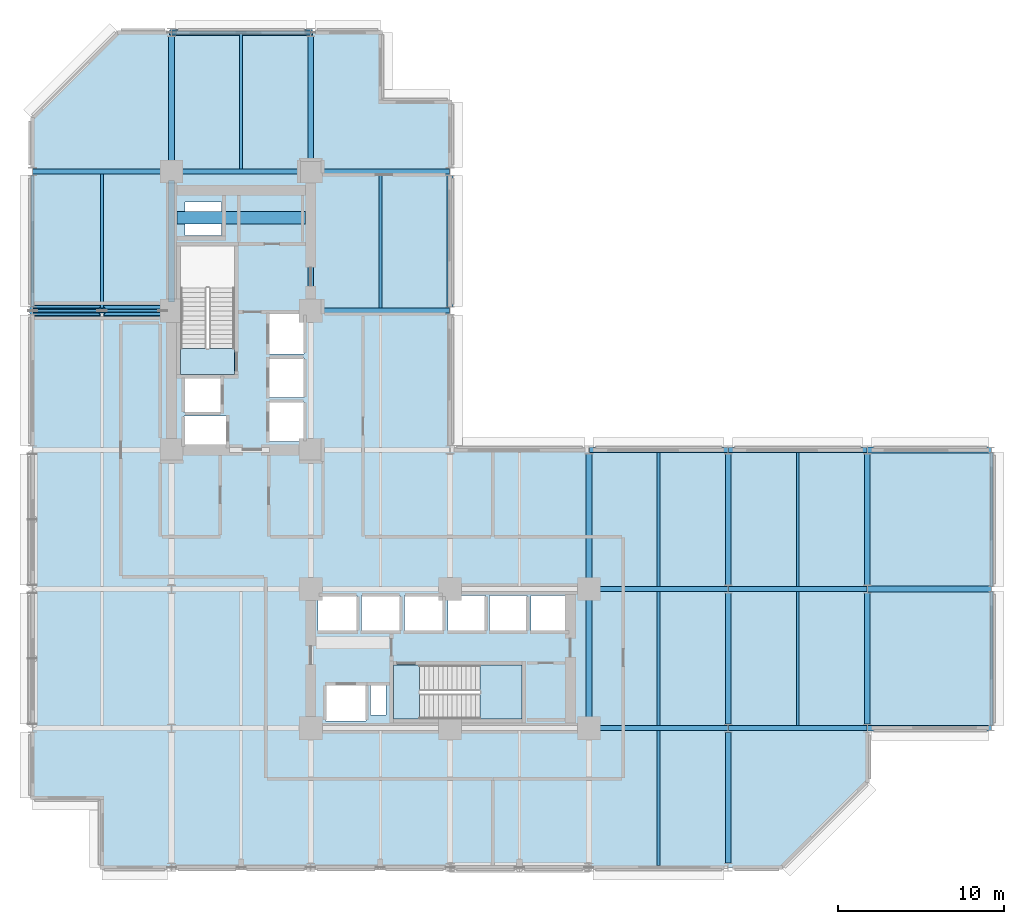
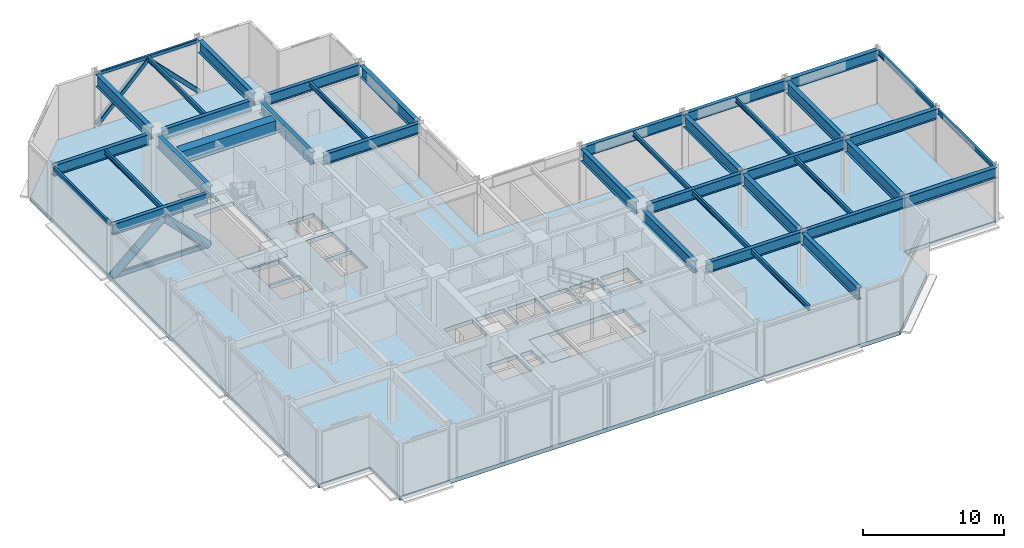
# One storey, part 4 of 13: 39 beams, 5 members, 4 slabs, 1 element without a shape of its own.
"""IFC4 building model written with IfcOpenShell, lengths in metres."""

from ifc_helpers import new_model, si_unit, direction, frame, origin, origin_2d, place, context, subcontext, project, spatial, polyline, rectangle, hollow_rectangle, hollow_circle, i_section, outline, extrude, material, layer, layer_set, material_profile, profile_set, type_object, element, aggregate, save


model = new_model("IFC4")

# Units and contexts
model_context = context("Model", 3, precision=1e-05, world=origin(), true_north=direction((0.0, 1.0)))
body_context = subcontext(model_context, "Body", "Model", "MODEL_VIEW")
ifc_project = project(units=[si_unit("LENGTHUNIT", "METRE"), si_unit("AREAUNIT", "SQUARE_METRE"), si_unit("VOLUMEUNIT", "CUBIC_METRE"), si_unit("PLANEANGLEUNIT", "RADIAN"), si_unit("MASSUNIT", "GRAM", prefix="KILO")], contexts=[model_context])

# Site, building, storey
site_placement = place(None, origin())
site = spatial("IfcSite", under=ifc_project, at=site_placement, CompositionType="ELEMENT")
building_placement = place(site_placement, origin())
building = spatial("IfcBuilding", under=site, at=building_placement, Name="Nerrivon Quay Data Exchange", CompositionType="ELEMENT")
storey_placement = place(building_placement, frame((0.0, 0.0, 79.39990234375)))
storey = spatial("IfcBuildingStorey", under=building, at=storey_placement, Name="L18", CompositionType="ELEMENT", Elevation=79.39990234375)

# Beams
ifc_material_1 = material(Name="Steel Grade 350", Category="steel")
ifc_material_profile_1 = material_profile(ifc_material_1, i_section(OverallWidth=0.35009765625, OverallDepth=0.909912109375, WebThickness=0.011962890625, FlangeThickness=0.02490234375, at=origin_2d()), Name="900WB218")
ifc_profile_set_1 = profile_set([ifc_material_profile_1], Name="Steel Grade 350")
beam_type_1 = type_object("IfcBeamType", Name="BM-CANT-900WB", PredefinedType="USERDEFINED", material=ifc_profile_set_1)
for number, where, z_axis, x_axis, name in (
    (1, (50.4140625, 8.39990234375, 4.27001953125), (1.0, 0.0, 0.0), (0.0, 1.0, 0.0), "L18 East Hooked Cantilever Girder Y=8.4"),
    (2, (50.4140625, 16.800048828125, 4.27001953125), (1.0, 0.0, 0.0), (0.0, 1.0, 0.0), "L18 East Hooked Cantilever Girder Y=16.8"),
    (3, (50.4140625, 25.199951171875, 4.27001953125), (1.0, 0.0, 0.0), (0.0, 1.0, 0.0), "L18 East Hooked Cantilever Girder Y=25.2"),
):
    element("IfcBeam", number, at=place(storey_placement, frame(where, z_axis=z_axis, x_axis=x_axis)), inside=storey, type_object=beam_type_1, Name=name, ObjectType="TRANSFER", PredefinedType="USERDEFINED", context=body_context, shape_type="SweptSolid", body=[
        extrude(i_section(OverallWidth=0.35009765625, OverallDepth=0.909912109375, WebThickness=0.011962890625, FlangeThickness=0.02490234375, at=origin_2d()), origin(), (0.0, 0.0, 1.0), 7.47802734375),
    ])
ifc_material_2 = material(Name="Concrete S65 (65 MPa)", Category="concrete")
ifc_material_profile_2 = material_profile(ifc_material_2, rectangle(XDim=0.75, YDim=1.10009765625, at=origin_2d()), Name="RC-CB-750x1100")
ifc_profile_set_2 = profile_set([ifc_material_profile_2], Name="Concrete S65 (65 MPa)")
beam_type_2 = type_object("IfcBeamType", Name="BM-CB1-750x1100", PredefinedType="LINTEL", material=ifc_profile_set_2)
beam_1_placement = place(storey_placement, frame((8.72509765625, 39.199951171875, 4.175048828125), z_axis=(1.0, 0.0, 0.0), x_axis=(0.0, 1.0, 0.0)))
element("IfcBeam", 4, at=beam_1_placement, inside=storey, type_object=beam_type_2, Name="L18 West Core Coupling Beam", PredefinedType="LINTEL", context=body_context, shape_type="SweptSolid", body=[
    extrude(rectangle(XDim=0.75, YDim=1.10009765625, at=origin_2d()), origin(), (0.0, 0.0, 1.0), 7.75),
])
ifc_material_profile_3 = material_profile(ifc_material_1, i_section(OverallWidth=0.177978515625, OverallDepth=0.403076171875, WebThickness=0.007568359375, FlangeThickness=0.010986328125, FilletRadius=0.011474609375, at=origin_2d()), Name="410UB53.7")
ifc_profile_set_3 = profile_set([ifc_material_profile_3], Name="Steel Grade 350")
beam_type_3 = type_object("IfcBeamType", Name="BM-J2-410UB54", PredefinedType="JOIST", material=ifc_profile_set_3)
beam_2_placement = place(storey_placement, frame((4.199951171875, 33.75, 4.523681640625), z_axis=(0.0, 1.0, 0.0), x_axis=(-1.0, 0.0, 0.0)))
element("IfcBeam", 5, at=beam_2_placement, inside=storey, type_object=beam_type_3, Name="L18 Secondary Joist X=4.2 (33.6..42.0)", PredefinedType="JOIST", context=body_context, shape_type="SweptSolid", body=[
    extrude(i_section(OverallWidth=0.177978515625, OverallDepth=0.403076171875, WebThickness=0.007568359375, FlangeThickness=0.010986328125, FilletRadius=0.011474609375, at=origin_2d()), origin(), (0.0, 0.0, 1.0), 8.10009765625),
])
beam_3_placement = place(storey_placement, frame((12.60009765625, 42.14990234375, 4.523681640625), z_axis=(0.0, 1.0, 0.0), x_axis=(-1.0, 0.0, 0.0)))
element("IfcBeam", 6, at=beam_3_placement, inside=storey, type_object=beam_type_3, Name="L18 Secondary Joist X=12.6 (42.0..50.4)", PredefinedType="JOIST", context=body_context, shape_type="SweptSolid", body=[
    extrude(i_section(OverallWidth=0.177978515625, OverallDepth=0.403076171875, WebThickness=0.007568359375, FlangeThickness=0.010986328125, FilletRadius=0.011474609375, at=origin_2d()), origin(), (0.0, 0.0, 1.0), 8.150146484375),
])
beam_4_placement = place(storey_placement, frame((21.0, 33.75, 4.523681640625), z_axis=(0.0, 1.0, 0.0), x_axis=(-1.0, 0.0, 0.0)))
element("IfcBeam", 7, at=beam_4_placement, inside=storey, type_object=beam_type_3, Name="L18 Secondary Joist X=21.0 (33.6..42.0)", PredefinedType="JOIST", context=body_context, shape_type="SweptSolid", body=[
    extrude(i_section(OverallWidth=0.177978515625, OverallDepth=0.403076171875, WebThickness=0.007568359375, FlangeThickness=0.010986328125, FilletRadius=0.011474609375, at=origin_2d()), origin(), (0.0, 0.0, 1.0), 8.10009765625),
])
beam_5_placement = place(storey_placement, frame((37.800048828125, 0.10009765625, 4.523681640625), z_axis=(0.0, 1.0, 0.0), x_axis=(-1.0, 0.0, 0.0)))
element("IfcBeam", 8, at=beam_5_placement, inside=storey, type_object=beam_type_3, Name="L18 Secondary Joist X=37.8 (0.0..8.4)", PredefinedType="JOIST", context=body_context, shape_type="SweptSolid", body=[
    extrude(i_section(OverallWidth=0.177978515625, OverallDepth=0.403076171875, WebThickness=0.007568359375, FlangeThickness=0.010986328125, FilletRadius=0.011474609375, at=origin_2d()), origin(), (0.0, 0.0, 1.0), 8.14990234375),
])
beam_6_placement = place(storey_placement, frame((37.800048828125, 8.550048828125, 4.523681640625), z_axis=(0.0, 1.0, 0.0), x_axis=(-1.0, 0.0, 0.0)))
element("IfcBeam", 9, at=beam_6_placement, inside=storey, type_object=beam_type_3, Name="L18 Secondary Joist X=37.8 (8.4..16.8)", PredefinedType="JOIST", context=body_context, shape_type="SweptSolid", body=[
    extrude(i_section(OverallWidth=0.177978515625, OverallDepth=0.403076171875, WebThickness=0.007568359375, FlangeThickness=0.010986328125, FilletRadius=0.011474609375, at=origin_2d()), origin(), (0.0, 0.0, 1.0), 8.099853515625),
])
beam_7_placement = place(storey_placement, frame((37.800048828125, 16.949951171875, 4.523681640625), z_axis=(0.0, 1.0, 0.0), x_axis=(-1.0, 0.0, 0.0)))
element("IfcBeam", 10, at=beam_7_placement, inside=storey, type_object=beam_type_3, Name="L18 Secondary Joist X=37.8 (16.8..25.2)", PredefinedType="JOIST", context=body_context, shape_type="SweptSolid", body=[
    extrude(i_section(OverallWidth=0.177978515625, OverallDepth=0.403076171875, WebThickness=0.007568359375, FlangeThickness=0.010986328125, FilletRadius=0.011474609375, at=origin_2d()), origin(), (0.0, 0.0, 1.0), 8.10009765625),
])
beam_8_placement = place(storey_placement, frame((46.199951171875, 8.550048828125, 4.523681640625), z_axis=(0.0, 1.0, 0.0), x_axis=(-1.0, 0.0, 0.0)))
element("IfcBeam", 11, at=beam_8_placement, inside=storey, type_object=beam_type_3, Name="L18 Secondary Joist X=46.2 (8.4..16.8)", PredefinedType="JOIST", context=body_context, shape_type="SweptSolid", body=[
    extrude(i_section(OverallWidth=0.177978515625, OverallDepth=0.403076171875, WebThickness=0.007568359375, FlangeThickness=0.010986328125, FilletRadius=0.011474609375, at=origin_2d()), origin(), (0.0, 0.0, 1.0), 8.099853515625),
])
beam_9_placement = place(storey_placement, frame((46.199951171875, 16.949951171875, 4.523681640625), z_axis=(0.0, 1.0, 0.0), x_axis=(-1.0, 0.0, 0.0)))
element("IfcBeam", 12, at=beam_9_placement, inside=storey, type_object=beam_type_3, Name="L18 Secondary Joist X=46.2 (16.8..25.2)", PredefinedType="JOIST", context=body_context, shape_type="SweptSolid", body=[
    extrude(i_section(OverallWidth=0.177978515625, OverallDepth=0.403076171875, WebThickness=0.007568359375, FlangeThickness=0.010986328125, FilletRadius=0.011474609375, at=origin_2d()), origin(), (0.0, 0.0, 1.0), 8.10009765625),
])
ifc_material_profile_4 = material_profile(ifc_material_1, i_section(OverallWidth=0.300048828125, OverallDepth=0.89990234375, WebThickness=0.011962890625, FlangeThickness=0.02001953125, at=origin_2d()), Name="900WB175")
ifc_profile_set_4 = profile_set([ifc_material_profile_4], Name="Steel Grade 350")
beam_type_4 = type_object("IfcBeamType", Name="BM-OUT-900WB175", PredefinedType="BEAM", material=ifc_profile_set_4)
beam_10_placement = place(storey_placement, frame((34.139892578125, 8.39990234375, 4.275146484375), z_axis=(1.0, 0.0, 0.0), x_axis=(0.0, 1.0, 0.0)))
element("IfcBeam", 13, at=beam_10_placement, inside=storey, type_object=beam_type_4, Name="L18 EW Girder Y=8.4 (33.6..42.0)", PredefinedType="BEAM", context=body_context, shape_type="SweptSolid", body=[
    extrude(i_section(OverallWidth=0.300048828125, OverallDepth=0.89990234375, WebThickness=0.011962890625, FlangeThickness=0.02001953125, at=origin_2d()), origin(), (0.0, 0.0, 1.0), 7.84619140625),
])
beam_11_placement = place(storey_placement, frame((42.013916015625, 8.39990234375, 4.275146484375), z_axis=(1.0, 0.0, 0.0), x_axis=(0.0, 1.0, 0.0)))
element("IfcBeam", 14, at=beam_11_placement, inside=storey, type_object=beam_type_4, Name="L18 EW Girder Y=8.4 (42.0..50.4)", PredefinedType="BEAM", context=body_context, shape_type="SweptSolid", body=[
    extrude(i_section(OverallWidth=0.300048828125, OverallDepth=0.89990234375, WebThickness=0.011962890625, FlangeThickness=0.02001953125, at=origin_2d()), origin(), (0.0, 0.0, 1.0), 8.3720703125),
])
beam_12_placement = place(storey_placement, frame((34.139892578125, 16.800048828125, 4.275146484375), z_axis=(1.0, 0.0, 0.0), x_axis=(0.0, 1.0, 0.0)))
element("IfcBeam", 15, at=beam_12_placement, inside=storey, type_object=beam_type_4, Name="L18 EW Girder Y=16.8 (33.6..42.0)", PredefinedType="BEAM", context=body_context, shape_type="SweptSolid", body=[
    extrude(i_section(OverallWidth=0.300048828125, OverallDepth=0.89990234375, WebThickness=0.011962890625, FlangeThickness=0.02001953125, at=origin_2d()), origin(), (0.0, 0.0, 1.0), 7.84619140625),
])
for number, where, z_axis, x_axis, name in (
    (16, (42.013916015625, 16.800048828125, 4.275146484375), (1.0, 0.0, 0.0), (0.0, 1.0, 0.0), "L18 EW Girder Y=16.8 (42.0..50.4)"),
    (17, (33.614013671875, 25.199951171875, 4.275146484375), (1.0, 0.0, 0.0), (0.0, 1.0, 0.0), "L18 EW Girder Y=25.2 (33.6..42.0)"),
    (18, (42.013916015625, 25.199951171875, 4.275146484375), (1.0, 0.0, 0.0), (0.0, 1.0, 0.0), "L18 EW Girder Y=25.2 (42.0..50.4)"),
):
    element("IfcBeam", number, at=place(storey_placement, frame(where, z_axis=z_axis, x_axis=x_axis)), inside=storey, type_object=beam_type_4, Name=name, PredefinedType="BEAM", context=body_context, shape_type="SweptSolid", body=[
        extrude(i_section(OverallWidth=0.300048828125, OverallDepth=0.89990234375, WebThickness=0.011962890625, FlangeThickness=0.02001953125, at=origin_2d()), origin(), (0.0, 0.0, 1.0), 8.3720703125),
    ])
beam_13_placement = place(storey_placement, frame((0.013916015625, 33.60009765625, 4.275146484375), z_axis=(1.0, 0.0, 0.0), x_axis=(0.0, 1.0, 0.0)))
element("IfcBeam", 19, at=beam_13_placement, inside=storey, type_object=beam_type_4, Name="L18 EW Girder Y=33.6 (0.0..8.4)", PredefinedType="BEAM", context=body_context, shape_type="SweptSolid", body=[
    extrude(i_section(OverallWidth=0.300048828125, OverallDepth=0.89990234375, WebThickness=0.011962890625, FlangeThickness=0.02001953125, at=origin_2d()), origin(), (0.0, 0.0, 1.0), 7.84619140625),
])
beam_14_placement = place(storey_placement, frame((17.340087890625, 33.60009765625, 4.275146484375), z_axis=(1.0, 0.0, 0.0), x_axis=(0.0, 1.0, 0.0)))
element("IfcBeam", 20, at=beam_14_placement, inside=storey, type_object=beam_type_4, Name="L18 EW Girder Y=33.6 (16.8..25.2)", PredefinedType="BEAM", context=body_context, shape_type="SweptSolid", body=[
    extrude(i_section(OverallWidth=0.300048828125, OverallDepth=0.89990234375, WebThickness=0.011962890625, FlangeThickness=0.02001953125, at=origin_2d()), origin(), (0.0, 0.0, 1.0), 7.845947265625),
])
beam_15_placement = place(storey_placement, frame((0.013916015625, 42.0, 4.275146484375), z_axis=(1.0, 0.0, 0.0), x_axis=(0.0, 1.0, 0.0)))
element("IfcBeam", 21, at=beam_15_placement, inside=storey, type_object=beam_type_4, Name="L18 EW Girder Y=42.0 (0.0..8.4)", PredefinedType="BEAM", context=body_context, shape_type="SweptSolid", body=[
    extrude(i_section(OverallWidth=0.300048828125, OverallDepth=0.89990234375, WebThickness=0.011962890625, FlangeThickness=0.02001953125, at=origin_2d()), origin(), (0.0, 0.0, 1.0), 7.84619140625),
])
beam_16_placement = place(storey_placement, frame((8.93994140625, 42.0, 4.275146484375), z_axis=(1.0, 0.0, 0.0), x_axis=(0.0, 1.0, 0.0)))
element("IfcBeam", 22, at=beam_16_placement, inside=storey, type_object=beam_type_4, Name="L18 EW Girder Y=42.0 (8.4..16.8)", PredefinedType="BEAM", context=body_context, shape_type="SweptSolid", body=[
    extrude(i_section(OverallWidth=0.300048828125, OverallDepth=0.89990234375, WebThickness=0.011962890625, FlangeThickness=0.02001953125, at=origin_2d()), origin(), (0.0, 0.0, 1.0), 7.320068359375),
])
beam_17_placement = place(storey_placement, frame((17.340087890625, 42.0, 4.275146484375), z_axis=(1.0, 0.0, 0.0), x_axis=(0.0, 1.0, 0.0)))
element("IfcBeam", 23, at=beam_17_placement, inside=storey, type_object=beam_type_4, Name="L18 EW Girder Y=42.0 (16.8..25.2)", PredefinedType="BEAM", context=body_context, shape_type="SweptSolid", body=[
    extrude(i_section(OverallWidth=0.300048828125, OverallDepth=0.89990234375, WebThickness=0.011962890625, FlangeThickness=0.02001953125, at=origin_2d()), origin(), (0.0, 0.0, 1.0), 7.845947265625),
])
ifc_material_profile_5 = material_profile(ifc_material_1, i_section(OverallWidth=0.177978515625, OverallDepth=0.403076171875, WebThickness=0.007568359375, FlangeThickness=0.010986328125, FilletRadius=0.011474609375, at=origin_2d()), Name="410UB53.7")
ifc_profile_set_5 = profile_set([ifc_material_profile_5], Name="Steel Grade 350")
beam_type_5 = type_object("IfcBeamType", Name="BM-SP2-410UB54", PredefinedType="SPANDREL", material=ifc_profile_set_5)
beam_18_placement = place(storey_placement, frame((57.89990234375, 8.5634765625, 4.523681640625), z_axis=(0.0, 1.0, 0.0), x_axis=(-1.0, 0.0, 0.0)))
element("IfcBeam", 24, at=beam_18_placement, inside=storey, type_object=beam_type_5, Name="L18 East Hooked Edge Spandrel", PredefinedType="SPANDREL", context=body_context, shape_type="SweptSolid", body=[
    extrude(i_section(OverallWidth=0.177978515625, OverallDepth=0.403076171875, WebThickness=0.007568359375, FlangeThickness=0.010986328125, FilletRadius=0.011474609375, at=origin_2d()), origin(), (0.0, 0.0, 1.0), 8.072998046875),
])
beam_19_placement = place(storey_placement, frame((57.89990234375, 16.96337890625, 4.523681640625), z_axis=(0.0, 1.0, 0.0), x_axis=(-1.0, 0.0, 0.0)))
element("IfcBeam", 25, at=beam_19_placement, inside=storey, type_object=beam_type_5, Name="L18 East Hooked Edge Spandrel", PredefinedType="SPANDREL", context=body_context, shape_type="SweptSolid", body=[
    extrude(i_section(OverallWidth=0.177978515625, OverallDepth=0.403076171875, WebThickness=0.007568359375, FlangeThickness=0.010986328125, FilletRadius=0.011474609375, at=origin_2d()), origin(), (0.0, 0.0, 1.0), 8.0732421875),
])
ifc_material_3 = material(Name="Steel Grade C350L0 (350 MPa)", Category="steel")
ifc_material_profile_6 = material_profile(ifc_material_3, hollow_rectangle(XDim=0.199951171875, YDim=0.300048828125, WallThickness=0.012451171875, InnerFilletRadius=0.018798828125, OuterFilletRadius=0.03125, at=origin_2d()), Name="300x200x12.5RHS")
ifc_profile_set_6 = profile_set([ifc_material_profile_6], Name="Steel Grade C350L0 (350 MPa)")
beam_type_6 = type_object("IfcBeamType", Name="BM-SP3-300x200RHS", PredefinedType="SPANDREL", material=ifc_profile_set_6)
beam_20_placement = place(storey_placement, frame((8.4140625, 50.39990234375, 4.5751953125), z_axis=(1.0, 0.0, 0.0), x_axis=(0.0, 1.0, 0.0)))
element("IfcBeam", 26, at=beam_20_placement, inside=storey, type_object=beam_type_6, Name="L18 EW Girder Y=50.4 (8.4..16.8)", PredefinedType="SPANDREL", context=body_context, shape_type="SweptSolid", body=[
    extrude(hollow_rectangle(XDim=0.199951171875, YDim=0.300048828125, WallThickness=0.012451171875, InnerFilletRadius=0.018798828125, OuterFilletRadius=0.03125, at=origin_2d()), origin(), (0.0, 0.0, 1.0), 8.371826171875),
])
beam_21_placement = place(storey_placement, frame((0.0, 33.85009765625, 4.5751953125), z_axis=(0.0, 1.0, 0.0), x_axis=(-1.0, 0.0, 0.0)))
element("IfcBeam", 27, at=beam_21_placement, inside=storey, type_object=beam_type_6, Name="L18 NS Girder X=0.0 (33.6..42.0)", PredefinedType="SPANDREL", context=body_context, shape_type="SweptSolid", body=[
    extrude(hollow_rectangle(XDim=0.199951171875, YDim=0.300048828125, WallThickness=0.012451171875, InnerFilletRadius=0.018798828125, OuterFilletRadius=0.03125, at=origin_2d()), origin(), (0.0, 0.0, 1.0), 7.89990234375),
])
ifc_material_profile_7 = material_profile(ifc_material_1, i_section(OverallWidth=0.35009765625, OverallDepth=1.01611328125, WebThickness=0.01611328125, FlangeThickness=0.028076171875, at=origin_2d()), Name="1000WB258")
ifc_profile_set_7 = profile_set([ifc_material_profile_7], Name="Steel Grade 350")
beam_type_7 = type_object("IfcBeamType", Name="BM-TG3-1000WB", PredefinedType="USERDEFINED", material=ifc_profile_set_7)
beam_22_placement = place(storey_placement, frame((8.39990234375, 34.139892578125, 4.217041015625), z_axis=(0.0, 1.0, 0.0), x_axis=(-1.0, 0.0, 0.0)))
element("IfcBeam", 28, at=beam_22_placement, inside=storey, type_object=beam_type_7, Name="L18 NS Girder X=8.4 (33.6..42.0)", ObjectType="TRANSFER", PredefinedType="USERDEFINED", context=body_context, shape_type="SweptSolid", body=[
    extrude(i_section(OverallWidth=0.35009765625, OverallDepth=1.01611328125, WebThickness=0.01611328125, FlangeThickness=0.028076171875, at=origin_2d()), origin(), (0.0, 0.0, 1.0), 7.320068359375),
])
beam_23_placement = place(storey_placement, frame((8.39990234375, 42.5400390625, 4.217041015625), z_axis=(0.0, 1.0, 0.0), x_axis=(-1.0, 0.0, 0.0)))
element("IfcBeam", 29, at=beam_23_placement, inside=storey, type_object=beam_type_7, Name="L18 NS Girder X=8.4 (42.0..50.4)", ObjectType="TRANSFER", PredefinedType="USERDEFINED", context=body_context, shape_type="SweptSolid", body=[
    extrude(i_section(OverallWidth=0.35009765625, OverallDepth=1.01611328125, WebThickness=0.01611328125, FlangeThickness=0.028076171875, at=origin_2d()), origin(), (0.0, 0.0, 1.0), 7.60986328125),
])
beam_24_placement = place(storey_placement, frame((16.800048828125, 34.139892578125, 4.217041015625), z_axis=(0.0, 1.0, 0.0), x_axis=(-1.0, 0.0, 0.0)))
element("IfcBeam", 30, at=beam_24_placement, inside=storey, type_object=beam_type_7, Name="L18 NS Girder X=16.8 (33.6..42.0)", ObjectType="TRANSFER", PredefinedType="USERDEFINED", context=body_context, shape_type="SweptSolid", body=[
    extrude(i_section(OverallWidth=0.35009765625, OverallDepth=1.01611328125, WebThickness=0.01611328125, FlangeThickness=0.028076171875, at=origin_2d()), origin(), (0.0, 0.0, 1.0), 7.320068359375),
])
beam_25_placement = place(storey_placement, frame((16.800048828125, 42.5400390625, 4.217041015625), z_axis=(0.0, 1.0, 0.0), x_axis=(-1.0, 0.0, 0.0)))
element("IfcBeam", 31, at=beam_25_placement, inside=storey, type_object=beam_type_7, Name="L18 NS Girder X=16.8 (42.0..50.4)", ObjectType="TRANSFER", PredefinedType="USERDEFINED", context=body_context, shape_type="SweptSolid", body=[
    extrude(i_section(OverallWidth=0.35009765625, OverallDepth=1.01611328125, WebThickness=0.01611328125, FlangeThickness=0.028076171875, at=origin_2d()), origin(), (0.0, 0.0, 1.0), 7.60986328125),
])
beam_26_placement = place(storey_placement, frame((25.199951171875, 33.85009765625, 4.217041015625), z_axis=(0.0, 1.0, 0.0), x_axis=(-1.0, 0.0, 0.0)))
element("IfcBeam", 32, at=beam_26_placement, inside=storey, type_object=beam_type_7, Name="L18 NS Girder X=25.2 (33.6..42.0)", ObjectType="TRANSFER", PredefinedType="USERDEFINED", context=body_context, shape_type="SweptSolid", body=[
    extrude(i_section(OverallWidth=0.35009765625, OverallDepth=1.01611328125, WebThickness=0.01611328125, FlangeThickness=0.028076171875, at=origin_2d()), origin(), (0.0, 0.0, 1.0), 7.89990234375),
])
beam_27_placement = place(storey_placement, frame((33.60009765625, 8.93994140625, 4.217041015625), z_axis=(0.0, 1.0, 0.0), x_axis=(-1.0, 0.0, 0.0)))
element("IfcBeam", 33, at=beam_27_placement, inside=storey, type_object=beam_type_7, Name="L18 NS Girder X=33.6 (8.4..16.8)", ObjectType="TRANSFER", PredefinedType="USERDEFINED", context=body_context, shape_type="SweptSolid", body=[
    extrude(i_section(OverallWidth=0.35009765625, OverallDepth=1.01611328125, WebThickness=0.01611328125, FlangeThickness=0.028076171875, at=origin_2d()), origin(), (0.0, 0.0, 1.0), 7.320068359375),
])
beam_28_placement = place(storey_placement, frame((33.60009765625, 17.340087890625, 4.217041015625), z_axis=(0.0, 1.0, 0.0), x_axis=(-1.0, 0.0, 0.0)))
element("IfcBeam", 34, at=beam_28_placement, inside=storey, type_object=beam_type_7, Name="L18 NS Girder X=33.6 (16.8..25.2)", ObjectType="TRANSFER", PredefinedType="USERDEFINED", context=body_context, shape_type="SweptSolid", body=[
    extrude(i_section(OverallWidth=0.35009765625, OverallDepth=1.01611328125, WebThickness=0.01611328125, FlangeThickness=0.028076171875, at=origin_2d()), origin(), (0.0, 0.0, 1.0), 7.60986328125),
])
beam_29_placement = place(storey_placement, frame((42.0, 0.25, 4.217041015625), z_axis=(0.0, 1.0, 0.0), x_axis=(-1.0, 0.0, 0.0)))
element("IfcBeam", 35, at=beam_29_placement, inside=storey, type_object=beam_type_7, Name="L18 NS Girder X=42.0 (0.0..8.4)", ObjectType="TRANSFER", PredefinedType="USERDEFINED", context=body_context, shape_type="SweptSolid", body=[
    extrude(i_section(OverallWidth=0.35009765625, OverallDepth=1.01611328125, WebThickness=0.01611328125, FlangeThickness=0.028076171875, at=origin_2d()), origin(), (0.0, 0.0, 1.0), 7.89990234375),
])
beam_30_placement = place(storey_placement, frame((42.0, 8.64990234375, 4.217041015625), z_axis=(0.0, 1.0, 0.0), x_axis=(-1.0, 0.0, 0.0)))
element("IfcBeam", 36, at=beam_30_placement, inside=storey, type_object=beam_type_7, Name="L18 NS Girder X=42.0 (8.4..16.8)", ObjectType="TRANSFER", PredefinedType="USERDEFINED", context=body_context, shape_type="SweptSolid", body=[
    extrude(i_section(OverallWidth=0.35009765625, OverallDepth=1.01611328125, WebThickness=0.01611328125, FlangeThickness=0.028076171875, at=origin_2d()), origin(), (0.0, 0.0, 1.0), 7.900146484375),
])
beam_31_placement = place(storey_placement, frame((42.0, 17.050048828125, 4.217041015625), z_axis=(0.0, 1.0, 0.0), x_axis=(-1.0, 0.0, 0.0)))
element("IfcBeam", 37, at=beam_31_placement, inside=storey, type_object=beam_type_7, Name="L18 NS Girder X=42.0 (16.8..25.2)", ObjectType="TRANSFER", PredefinedType="USERDEFINED", context=body_context, shape_type="SweptSolid", body=[
    extrude(i_section(OverallWidth=0.35009765625, OverallDepth=1.01611328125, WebThickness=0.01611328125, FlangeThickness=0.028076171875, at=origin_2d()), origin(), (0.0, 0.0, 1.0), 7.89990234375),
])
beam_32_placement = place(storey_placement, frame((50.39990234375, 8.64990234375, 4.217041015625), z_axis=(0.0, 1.0, 0.0), x_axis=(-1.0, 0.0, 0.0)))
element("IfcBeam", 38, at=beam_32_placement, inside=storey, type_object=beam_type_7, Name="L18 NS Girder X=50.4 (8.4..16.8)", ObjectType="TRANSFER", PredefinedType="USERDEFINED", context=body_context, shape_type="SweptSolid", body=[
    extrude(i_section(OverallWidth=0.35009765625, OverallDepth=1.01611328125, WebThickness=0.01611328125, FlangeThickness=0.028076171875, at=origin_2d()), origin(), (0.0, 0.0, 1.0), 7.900146484375),
])
beam_33_placement = place(storey_placement, frame((50.39990234375, 17.050048828125, 4.217041015625), z_axis=(0.0, 1.0, 0.0), x_axis=(-1.0, 0.0, 0.0)))
element("IfcBeam", 39, at=beam_33_placement, inside=storey, type_object=beam_type_7, Name="L18 NS Girder X=50.4 (16.8..25.2)", ObjectType="TRANSFER", PredefinedType="USERDEFINED", context=body_context, shape_type="SweptSolid", body=[
    extrude(i_section(OverallWidth=0.35009765625, OverallDepth=1.01611328125, WebThickness=0.01611328125, FlangeThickness=0.028076171875, at=origin_2d()), origin(), (0.0, 0.0, 1.0), 7.89990234375),
])

# Members
ifc_material_profile_8 = material_profile(ifc_material_3, hollow_rectangle(XDim=0.35009765625, YDim=0.35009765625, WallThickness=0.01611328125, InnerFilletRadius=0.02392578125, OuterFilletRadius=0.0400390625, at=origin_2d()), Name="350x350x16.0SHS")
ifc_profile_set_8 = profile_set([ifc_material_profile_8], Name="Steel Grade C350L0 (350 MPa)")
member_type_1 = type_object("IfcMemberType", Name="MEM-BB1-350SHS", PredefinedType="BRACE", material=ifc_profile_set_8)
for number, where, z_axis, x_axis, name in (
    (40, (8.4140625, 50.39990234375, 0.18017578125), (0.701315994734, 0.0, 0.712850528183), (0.0, 1.0, 0.0), "L18 structural brace BB-L18-07A"),
    (41, (16.785888671875, 50.39990234375, 0.18017578125), (-0.701295208943, 0.0, 0.712870977046), (0.0, -1.0, 0.0), "L18 structural brace BB-L18-07B"),
):
    element("IfcMember", number, at=place(storey_placement, frame(where, z_axis=z_axis, x_axis=x_axis)), inside=storey, type_object=member_type_1, Name=name, PredefinedType="BRACE", context=body_context, shape_type="SweptSolid", body=[
        extrude(hollow_rectangle(XDim=0.35009765625, YDim=0.35009765625, WallThickness=0.01611328125, InnerFilletRadius=0.02392578125, OuterFilletRadius=0.0400390625, at=origin_2d()), origin(), (0.0, 0.0, 1.0), 5.96875),
    ])
ifc_material_profile_9 = material_profile(ifc_material_3, hollow_rectangle(XDim=0.199951171875, YDim=0.39990234375, WallThickness=0.01611328125, InnerFilletRadius=0.02392578125, OuterFilletRadius=0.0400390625, at=origin_2d()), Name="400x200x16.0RHS")
ifc_profile_set_9 = profile_set([ifc_material_profile_9], Name="Steel Grade C350L0 (350 MPa)")
member_type_2 = type_object("IfcMemberType", Name="MEM-CH1-400RHS", PredefinedType="CHORD", material=ifc_profile_set_9)
member_1_placement = place(storey_placement, frame((0.013916015625, 33.60009765625, 0.18017578125), z_axis=(1.0, 0.0, 0.0), x_axis=(0.0, 1.0, 0.0)))
element("IfcMember", 42, at=member_1_placement, inside=storey, type_object=member_type_2, Name="L18 Outrigger Bottom Chord 1", PredefinedType="CHORD", context=body_context, shape_type="SweptSolid", body=[
    extrude(hollow_rectangle(XDim=0.199951171875, YDim=0.39990234375, WallThickness=0.01611328125, InnerFilletRadius=0.02392578125, OuterFilletRadius=0.0400390625, at=origin_2d()), origin(), (0.0, 0.0, 1.0), 7.84619140625),
])
ifc_material_profile_10 = material_profile(ifc_material_3, hollow_circle(Radius=0.304931640625, WallThickness=0.02490234375, at=origin_2d()), Name="610.0x25.0CHS")
ifc_profile_set_10 = profile_set([ifc_material_profile_10], Name="Steel Grade C350L0 (350 MPa)")
member_type_3 = type_object("IfcMemberType", Name="MEM-OB1-610CHS", PredefinedType="BRACE", material=ifc_profile_set_10)
member_2_placement = place(storey_placement, frame((0.013916015625, 33.60009765625, 0.18017578125), z_axis=(0.753267537379, 0.0, 0.657714236679), x_axis=(0.0, 1.0, 0.0)))
element("IfcMember", 43, at=member_2_placement, inside=storey, type_object=member_type_3, Name="L18 structural brace OB-L18-01A", PredefinedType="BRACE", context=body_context, shape_type="SweptSolid", body=[
    extrude(hollow_circle(Radius=0.304931640625, WallThickness=0.02490234375, at=origin_2d()), origin(), (0.0, 0.0, 1.0), 5.55712890625),
])
member_3_placement = place(storey_placement, frame((7.860107421875, 33.60009765625, 0.18017578125), z_axis=(-0.707602193365, 0.0, 0.70661102167), x_axis=(0.0, -1.0, 0.0)))
element("IfcMember", 44, at=member_3_placement, inside=storey, type_object=member_type_3, Name="L18 structural brace OB-L18-01B", PredefinedType="BRACE", context=body_context, shape_type="SweptSolid", body=[
    extrude(hollow_circle(Radius=0.304931640625, WallThickness=0.02490234375, at=origin_2d()), origin(), (0.0, 0.0, 1.0), 5.172607421875),
])

# Slab
ifc_material_4 = material(Name="Concrete N50 (50 MPa)", Category="concrete")
ifc_layer_1 = layer(ifc_material_4, 0.199951171875)
ifc_layer_set_1 = layer_set([ifc_layer_1], Name="Concrete N50 (50 MPa)")
slab_type_1 = type_object("IfcSlabType", Name="SLB-LAND-200", PredefinedType="LANDING", material=ifc_layer_set_1)
slab_1_placement = place(storey_placement, frame((0.0, 0.0, -0.199951171875)))
element("IfcSlab", 45, at=slab_1_placement, inside=storey, type_object=slab_type_1, Name="L18 ST01 floor landing", PredefinedType="LANDING", context=body_context, shape_type="SweptSolid", body=[
    extrude(outline(polyline([(12.199951171875, 29.75), (12.199951171875, 31.330078125), (8.949951171875, 31.330078125), (8.949951171875, 29.75), (12.199951171875, 29.75)])), origin(), (0.0, 0.0, 1.0), 0.199951171875),
])

# Stair, slab
stair_type = type_object("IfcStairType", Name="STAIR-DOG-50", PredefinedType="HALF_TURN_STAIR", material=ifc_material_4)
stair_placement = place(storey_placement, origin())
stair = element("IfcStair", 46, at=stair_placement, inside=storey, type_object=stair_type, Name="L18 East Core Fire Stair ST02", PredefinedType="HALF_TURN_STAIR")
slab_2_placement = place(storey_placement, frame((0.0, 0.0, 2.300048828125)))
slab_2 = element("IfcSlab", 47, at=slab_2_placement, type_object=slab_type_1, Name="ST02 landing 1", PredefinedType="LANDING", context=body_context, shape_type="SweptSolid", body=[
    extrude(outline(polyline([(27.02001953125, 8.949951171875), (29.550048828125, 8.949951171875), (29.550048828125, 12.199951171875), (27.02001953125, 12.199951171875), (27.02001953125, 8.949951171875)])), origin(), (0.0, 0.0, 1.0), 0.199951171875),
])
aggregate(stair, [slab_2])

# Slabs
slab_3_placement = place(storey_placement, frame((0.0, 0.0, -0.199951171875)))
element("IfcSlab", 48, at=slab_3_placement, inside=storey, type_object=slab_type_1, Name="L18 ST02 floor landing", PredefinedType="LANDING", context=body_context, shape_type="SweptSolid", body=[
    extrude(outline(polyline([(21.800048828125, 8.949951171875), (23.3798828125, 8.949951171875), (23.3798828125, 12.199951171875), (21.800048828125, 12.199951171875), (21.800048828125, 8.949951171875)])), origin(), (0.0, 0.0, 1.0), 0.199951171875),
])
ifc_layer_2 = layer(ifc_material_2, 0.35009765625)
ifc_layer_set_2 = layer_set([ifc_layer_2], Name="Concrete S65 (65 MPa)")
slab_type_2 = type_object("IfcSlabType", Name="SLB-TRANS-350", PredefinedType="FLOOR", material=ifc_layer_set_2)
slab_4_placement = place(storey_placement, frame((0.0, 0.0, -0.349853515625)))
element("IfcSlab", 49, at=slab_4_placement, inside=storey, type_object=slab_type_2, Name="L18 Primary Structural Slab", PredefinedType="FLOOR", context=body_context, shape_type="SweptSolid", body=[
    extrude(outline(polyline([(25.199951171875, 25.199951171875), (25.199951171875, 46.199951171875), (21.0, 46.199951171875), (21.0, 50.39990234375), (5.199951171875, 50.39990234375), (0.0, 45.199951171875), (0.0, 4.199951171875), (4.199951171875, 4.199951171875), (4.199951171875, 0.0), (45.199951171875, 0.0), (50.39990234375, 5.199951171875), (50.39990234375, 8.39990234375), (57.89990234375, 8.39990234375), (57.89990234375, 25.199951171875), (25.199951171875, 25.199951171875)]), holes=[polyline([(8.949951171875, 29.75), (8.949951171875, 37.5), (12.199951171875, 37.5), (12.199951171875, 29.75), (8.949951171875, 29.75)]), polyline([(21.800048828125, 12.199951171875), (29.550048828125, 12.199951171875), (29.550048828125, 8.949951171875), (21.800048828125, 8.949951171875), (21.800048828125, 12.199951171875)]), polyline([(30.10009765625, 16.39990234375), (32.35009765625, 16.39990234375), (32.35009765625, 14.25), (30.10009765625, 14.25), (30.10009765625, 16.39990234375)]), polyline([(27.60009765625, 16.39990234375), (29.85009765625, 16.39990234375), (29.85009765625, 14.25), (27.60009765625, 14.25), (27.60009765625, 16.39990234375)]), polyline([(25.10009765625, 16.39990234375), (27.35009765625, 16.39990234375), (27.35009765625, 14.25), (25.10009765625, 14.25), (25.10009765625, 16.39990234375)]), polyline([(22.449951171875, 16.39990234375), (24.800048828125, 16.39990234375), (24.800048828125, 14.25), (22.449951171875, 14.25), (22.449951171875, 16.39990234375)]), polyline([(19.85009765625, 16.39990234375), (22.199951171875, 16.39990234375), (22.199951171875, 14.25), (19.85009765625, 14.25), (19.85009765625, 16.39990234375)]), polyline([(20.39990234375, 11.0), (21.35009765625, 11.0), (21.35009765625, 9.199951171875), (20.39990234375, 9.199951171875), (20.39990234375, 11.0)]), polyline([(17.699951171875, 8.830078125), (17.699951171875, 11.030029296875), (20.14990234375, 11.030029296875), (20.14990234375, 8.830078125), (17.699951171875, 8.830078125)]), polyline([(17.25, 14.25), (17.25, 16.39990234375), (19.60009765625, 16.39990234375), (19.60009765625, 14.25), (17.25, 14.25)]), polyline([(14.25, 28.10009765625), (16.39990234375, 28.10009765625), (16.39990234375, 25.699951171875), (14.25, 25.699951171875), (14.25, 28.10009765625)]), polyline([(14.25, 30.75), (16.39990234375, 30.75), (16.39990234375, 28.35009765625), (14.25, 28.35009765625), (14.25, 30.75)]), polyline([(14.25, 33.39990234375), (16.39990234375, 33.39990234375), (16.39990234375, 31.0), (14.25, 31.0), (14.25, 33.39990234375)]), polyline([(9.14990234375, 27.25), (11.75, 27.25), (11.75, 25.35009765625), (9.14990234375, 25.35009765625), (9.14990234375, 27.25)]), polyline([(9.14990234375, 29.60009765625), (11.39990234375, 29.60009765625), (11.39990234375, 27.449951171875), (9.14990234375, 27.449951171875), (9.14990234375, 29.60009765625)]), polyline([(9.199951171875, 40.14990234375), (11.39990234375, 40.14990234375), (11.39990234375, 38.14990234375), (9.199951171875, 38.14990234375), (9.199951171875, 40.14990234375)])]), origin(), (0.0, 0.0, 1.0), 0.349853515625),
])

save(model, "model.ifc")
